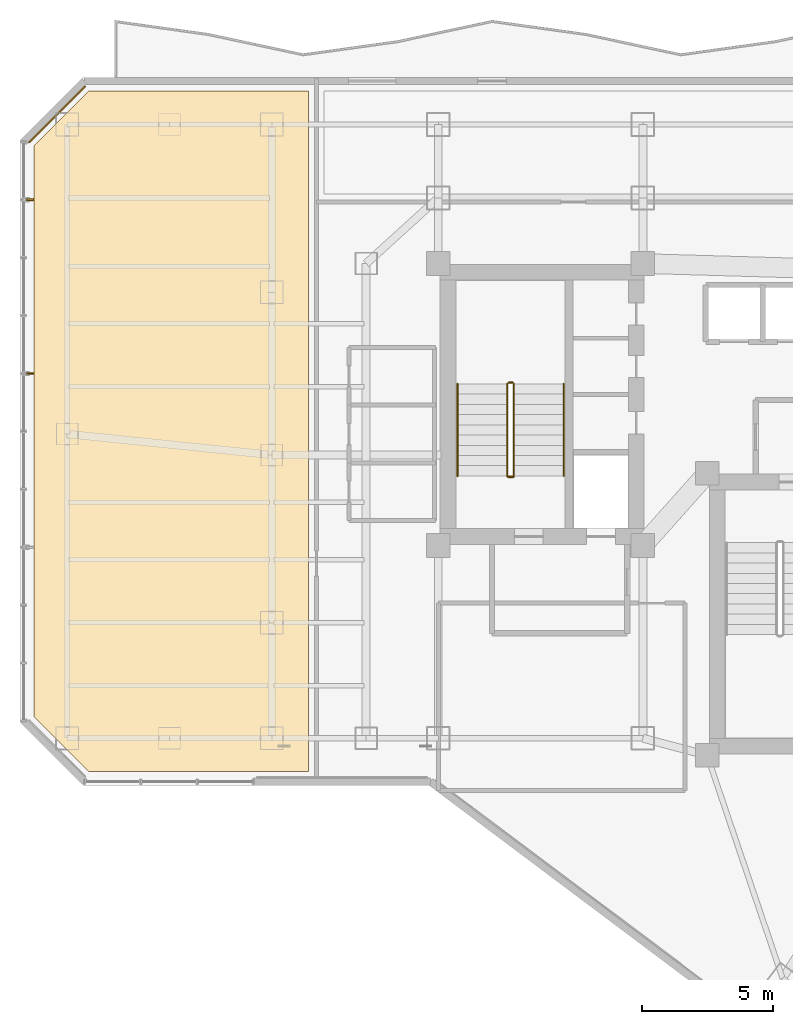
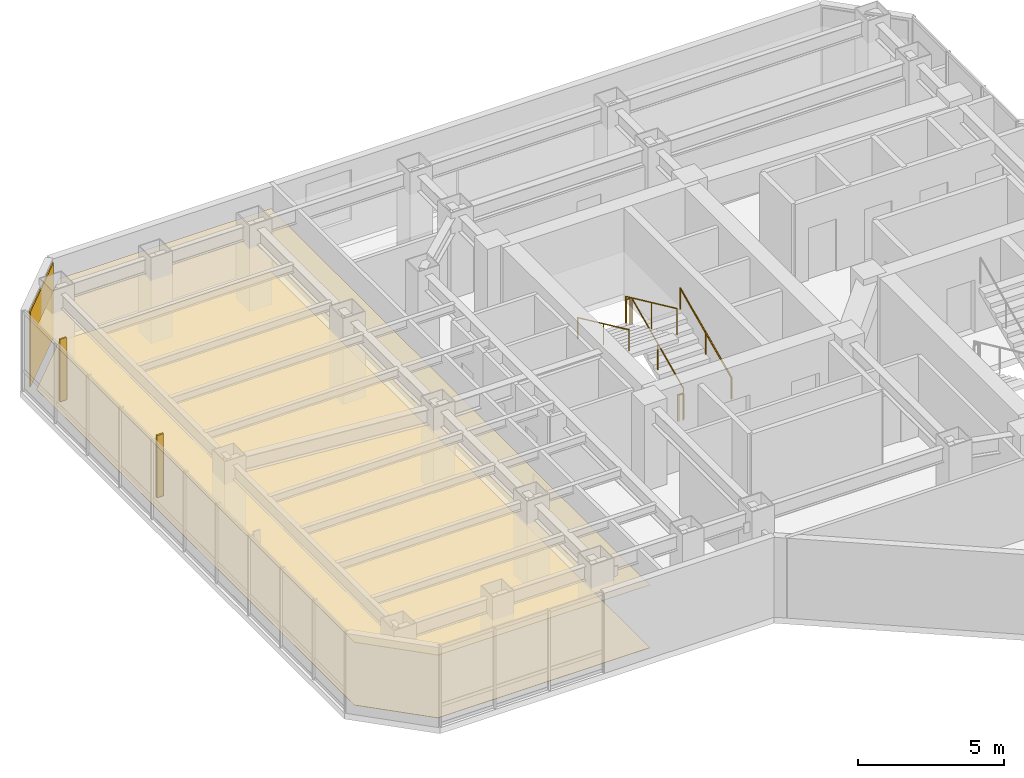
# One storey, part 28 of 29: 7 railings, 3 coverings, 2 shading devices.
"""IFC4 building model written with IfcOpenShell, lengths in metres."""

from ifc_helpers import new_model, si_unit, direction, frame, origin, origin_2d, place, context, subcontext, project, spatial, polyline, rectangle, circle, outline, extrude, material, layer, layer_set, type_object, element, save


model = new_model("IFC4")

# Units and contexts
model_context = context("Model", 3, precision=1e-05, world=origin(), true_north=direction((0.0, 1.0)))
body_context = subcontext(model_context, "Body", "Model", "MODEL_VIEW")
ifc_project = project(units=[si_unit("LENGTHUNIT", "METRE"), si_unit("AREAUNIT", "SQUARE_METRE"), si_unit("VOLUMEUNIT", "CUBIC_METRE"), si_unit("PLANEANGLEUNIT", "RADIAN"), si_unit("MASSUNIT", "GRAM", prefix="KILO")], contexts=[model_context])

# Site, building, storey
site_placement = place(None, origin())
site = spatial("IfcSite", under=ifc_project, at=site_placement, CompositionType="ELEMENT")
building_placement = place(site_placement, origin())
building = spatial("IfcBuilding", under=site, at=building_placement, Name="Hatsunagi Terrace Concourse", CompositionType="ELEMENT")
storey_placement = place(building_placement, frame((0.0, 0.0, 126.449951171875)))
storey = spatial("IfcBuildingStorey", under=building, at=storey_placement, Name="L33", CompositionType="ELEMENT", Elevation=126.449951171875)

# Coverings
ifc_material_1 = material(Name="Acoustic mineral board", Category="gypsum")
ifc_layer_1 = layer(ifc_material_1, 0.02001953125)
ifc_layer_set_1 = layer_set([ifc_layer_1], Name="AcousticMineralCeiling_20")
covering_type_1 = type_object("IfcCoveringType", Name="AcousticMineralCeiling_20", PredefinedType="CEILING", material=ifc_layer_set_1)
covering_1_placement = place(storey_placement, frame((0.0, 0.0, 2.6201171875)))
element("IfcCovering", 1, at=covering_1_placement, inside=storey, type_object=covering_type_1, Name="Suspended Ceiling L33-1", PredefinedType="CEILING", context=body_context, shape_type="SweptSolid", body=[
    extrude(outline(polyline([(10.1298828125, 26.02001953125), (12.219970703125, 23.929931640625), (20.60009765625, 23.929931640625), (20.60009765625, 49.8701171875), (12.219970703125, 49.8701171875), (10.1298828125, 47.780029296875), (10.1298828125, 26.02001953125)])), origin(), (0.0, 0.0, 1.0), 0.02001953125),
])
ifc_material_2 = material(Name="Hardwood timber", Category="wood")
ifc_layer_2 = layer(ifc_material_2, 0.014892578125)
ifc_layer_set_2 = layer_set([ifc_layer_2], Name="HardwoodTimberFlooring_15")
covering_type_2 = type_object("IfcCoveringType", Name="HardwoodTimberFlooring_15", PredefinedType="FLOORING", material=ifc_layer_set_2)
covering_2_placement = place(storey_placement, origin())
element("IfcCovering", 2, at=covering_2_placement, inside=storey, type_object=covering_type_2, Name="Finished Flooring L33-1", PredefinedType="FLOORING", context=body_context, shape_type="SweptSolid", body=[
    extrude(outline(polyline([(10.1298828125, 26.02001953125), (12.219970703125, 23.929931640625), (20.60009765625, 23.929931640625), (20.60009765625, 49.8701171875), (12.219970703125, 49.8701171875), (10.1298828125, 47.780029296875), (10.1298828125, 26.02001953125)])), origin(), (0.0, 0.0, 1.0), 0.01513671875),
])

# Railings
ifc_material_3 = material(Name="Stainless steel", Category="steel")
ifc_layer_3 = layer(ifc_material_3, 0.044921875)
ifc_layer_set_3 = layer_set([ifc_layer_3], Name="StairPitchHandrail_Tower2000")
railing_type_1 = type_object("IfcRailingType", Name="StairPitchHandrail_Tower2000", PredefinedType="HANDRAIL", material=ifc_layer_set_3)
railing_1_placement = place(storey_placement, frame((30.330078125, 35.199951171875, 0.179931640625)))
element("IfcRailing", 3, at=railing_1_placement, inside=storey, type_object=railing_type_1, Name="L33 ST-A stair handrail 1", PredefinedType="HANDRAIL", context=body_context, shape_type="SweptSolid", body=[
    extrude(circle(Radius=0.02392578125, at=origin_2d()), frame((0.0, 0.0, 0.8759765625), z_axis=(0.0, 0.907948293929, 0.419082206198), x_axis=(-1.0, 0.0, 0.0)), (0.0, 0.0, 1.0), 3.865966796875),
    extrude(circle(Radius=0.02099609375, at=origin_2d()), origin(), (0.0, 0.0, 1.0), 0.851806640625),
    extrude(circle(Radius=0.02099609375, at=origin_2d()), frame((0.0, 1.7548828125, 0.81005859375)), (0.0, 0.0, 1.0), 0.851806640625),
    extrude(circle(Radius=0.02099609375, at=origin_2d()), frame((0.0, 3.510009765625, 1.6201171875)), (0.0, 0.0, 1.0), 0.851806640625),
])
railing_2_placement = place(storey_placement, frame((26.280029296875, 38.7099609375, 1.97998046875)))
element("IfcRailing", 4, at=railing_2_placement, inside=storey, type_object=railing_type_1, Name="L33 ST-A stair handrail 2", PredefinedType="HANDRAIL", context=body_context, shape_type="SweptSolid", body=[
    extrude(circle(Radius=0.02392578125, at=origin_2d()), frame((0.0, 0.0, 0.8759765625), z_axis=(0.0, -0.907948293929, 0.419082206198), x_axis=(1.0, 0.0, 0.0)), (0.0, 0.0, 1.0), 3.865966796875),
    extrude(circle(Radius=0.02099609375, at=origin_2d()), origin(), (0.0, 0.0, 1.0), 0.851806640625),
    extrude(circle(Radius=0.02099609375, at=origin_2d()), frame((0.0, -1.7548828125, 0.81005859375)), (0.0, 0.0, 1.0), 0.851806640625),
    extrude(circle(Radius=0.02099609375, at=origin_2d()), frame((0.0, -3.510009765625, 1.6201171875)), (0.0, 0.0, 1.0), 0.851806640625),
])
ifc_material_4 = material(Name="Stainless steel", Category="steel")
ifc_layer_4 = layer(ifc_material_4, 0.06005859375)
ifc_layer_set_4 = layer_set([ifc_layer_4], Name="StairWellGuard_Tower2000")
railing_type_2 = type_object("IfcRailingType", Name="StairWellGuard_Tower2000", PredefinedType="BALUSTRADE", material=ifc_layer_set_4)
railing_3_placement = place(storey_placement, frame((28.429931640625, 35.199951171875, 0.179931640625)))
element("IfcRailing", 5, at=railing_3_placement, inside=storey, type_object=railing_type_2, Name="L33 ST-A stair guard 1", PredefinedType="BALUSTRADE", context=body_context, shape_type="SweptSolid", body=[
    extrude(circle(Radius=0.02392578125, at=origin_2d()), frame((0.0, 0.0, 1.09619140625), z_axis=(0.0, 0.907948293929, 0.419082206198), x_axis=(-1.0, 0.0, 0.0)), (0.0, 0.0, 1.0), 3.865966796875),
    extrude(circle(Radius=0.02099609375, at=origin_2d()), origin(), (0.0, 0.0, 1.0), 1.072021484375),
    extrude(circle(Radius=0.02099609375, at=origin_2d()), frame((0.0, 1.7548828125, 0.81005859375)), (0.0, 0.0, 1.0), 1.072021484375),
    extrude(circle(Radius=0.02099609375, at=origin_2d()), frame((0.0, 3.510009765625, 1.6201171875)), (0.0, 0.0, 1.0), 1.072021484375),
])
railing_4_placement = place(storey_placement, frame((28.3798828125, 38.760009765625, 1.800048828125)))
element("IfcRailing", 6, at=railing_4_placement, inside=storey, type_object=railing_type_2, Name="L33 ST-A stair guard 2", PredefinedType="BALUSTRADE", context=body_context, shape_type="SweptSolid", body=[
    extrude(circle(Radius=0.02392578125, at=origin_2d()), frame((0.0, 0.0, 1.09619140625), z_axis=(-1.0, 0.0, 0.0), x_axis=(0.0, -1.0, 0.0)), (0.0, 0.0, 1.0), 0.14990234375),
    extrude(circle(Radius=0.02099609375, at=origin_2d()), origin(), (0.0, 0.0, 1.0), 1.072021484375),
    extrude(circle(Radius=0.02099609375, at=origin_2d()), frame((-0.14990234375, 0.0, 0.0)), (0.0, 0.0, 1.0), 1.072021484375),
])
railing_5_placement = place(storey_placement, frame((28.179931640625, 38.7099609375, 1.97998046875)))
element("IfcRailing", 7, at=railing_5_placement, inside=storey, type_object=railing_type_2, Name="L33 ST-A stair guard 3", PredefinedType="BALUSTRADE", context=body_context, shape_type="SweptSolid", body=[
    extrude(circle(Radius=0.02392578125, at=origin_2d()), frame((0.0, 0.0, 1.09619140625), z_axis=(0.0, -0.907948293929, 0.419082206198), x_axis=(1.0, 0.0, 0.0)), (0.0, 0.0, 1.0), 3.865966796875),
    extrude(circle(Radius=0.02099609375, at=origin_2d()), origin(), (0.0, 0.0, 1.0), 1.072021484375),
    extrude(circle(Radius=0.02099609375, at=origin_2d()), frame((0.0, -1.7548828125, 0.81005859375)), (0.0, 0.0, 1.0), 1.072021484375),
    extrude(circle(Radius=0.02099609375, at=origin_2d()), frame((0.0, -3.510009765625, 1.6201171875)), (0.0, 0.0, 1.0), 1.072021484375),
])
railing_6_placement = place(storey_placement, frame((28.3798828125, 35.14990234375, 0.0)))
element("IfcRailing", 8, at=railing_6_placement, inside=storey, type_object=railing_type_2, Name="L33 ST-A stair guard 4", PredefinedType="BALUSTRADE", context=body_context, shape_type="SweptSolid", body=[
    extrude(circle(Radius=0.02392578125, at=origin_2d()), frame((0.0, 0.0, 1.09619140625), z_axis=(-1.0, 0.0, 0.0), x_axis=(0.0, -1.0, 0.0)), (0.0, 0.0, 1.0), 0.14990234375),
    extrude(circle(Radius=0.02099609375, at=origin_2d()), origin(), (0.0, 0.0, 1.0), 1.072021484375),
    extrude(circle(Radius=0.02099609375, at=origin_2d()), frame((-0.14990234375, 0.0, 0.0)), (0.0, 0.0, 1.0), 1.072021484375),
])
ifc_material_5 = material(Name="Stainless Steel SUS316 Post-and-Rail Guard", Category="steel")
ifc_layer_5 = layer(ifc_material_5, 0.080078125)
ifc_layer_set_5 = layer_set([ifc_layer_5], Name="TerracePlantedGuardRail_1200")
railing_type_3 = type_object("IfcRailingType", Name="TerracePlantedGuardRail_1200", PredefinedType="GUARDRAIL", material=ifc_layer_set_5)
railing_7_placement = place(storey_placement, frame((28.179931640625, 35.179931640625, 0.0)))
element("IfcRailing", 9, at=railing_7_placement, inside=storey, type_object=railing_type_3, Name="Stair ST-A Well Closure Guard L33", PredefinedType="GUARDRAIL", context=body_context, shape_type="SweptSolid", body=[
    extrude(circle(Radius=0.02392578125, at=origin_2d()), frame((0.0, 0.0, 1.09619140625), z_axis=(1.0, 0.0, 0.0), x_axis=(0.0, 1.0, 0.0)), (0.0, 0.0, 1.0), 0.25),
    extrude(circle(Radius=0.02099609375, at=origin_2d()), origin(), (0.0, 0.0, 1.0), 1.072021484375),
    extrude(circle(Radius=0.02099609375, at=origin_2d()), frame((0.25, 0.0, 0.0)), (0.0, 0.0, 1.0), 1.072021484375),
])

# Shading devices
ifc_material_6 = material(Name="Extruded Unglazed Terracotta Baguette", Category="masonry")
shading_device_type = type_object("IfcShadingDeviceType", Name="TerracottaFinScreen_260x70", PredefinedType="USERDEFINED", material=ifc_material_6)
for number, where, z_axis, x_axis, name in (
    (10, (9.989990234375, 39.10791015625, 0.85009765625), (0.0, 0.0, 1.0), (0.0, 1.0, 0.0), "Terracotta Baguette Fin Screen SCR-01"),
    (11, (9.989990234375, 45.73388671875, 0.85009765625), (0.0, 0.0, 1.0), (0.0, 1.0, 0.0), "Terracotta Baguette Fin Screen SCR-01"),
):
    element("IfcShadingDevice", number, at=place(storey_placement, frame(where, z_axis=z_axis, x_axis=x_axis)), inside=storey, type_object=shading_device_type, Name=name, ObjectType="SUNSHADE", PredefinedType="USERDEFINED", context=body_context, shape_type="SweptSolid", body=[
        extrude(rectangle(XDim=0.070068359375, YDim=0.260009765625, at=origin_2d()), origin(), (0.0, 0.0, 1.0), 2.60009765625),
    ])

# Covering
ifc_material_7 = material(Name="Unglazed Warm Terracotta Rainscreen Tile", Category="masonry")
ifc_layer_6 = layer(ifc_material_7, 0.044921875)
ifc_layer_set_6 = layer_set([ifc_layer_6], Name="TerracottaRainscreenCladding_45")
covering_type_3 = type_object("IfcCoveringType", Name="TerracottaRainscreenCladding_45", PredefinedType="CLADDING", material=ifc_layer_set_6)
covering_3_placement = place(storey_placement, frame((11.013916015625, 48.986083984375, 0.10009765625), z_axis=(0.0, 0.0, 1.0), x_axis=(0.707106781187, 0.707106781187, 0.0)))
element("IfcCovering", 12, at=covering_3_placement, inside=storey, type_object=covering_type_3, Name="Terracotta Rainscreen Cladding L33-10", PredefinedType="CLADDING", context=body_context, shape_type="SweptSolid", body=[
    extrude(rectangle(XDim=3.0380859375, YDim=0.044921875, at=origin_2d()), origin(), (0.0, 0.0, 1.0), 3.139892578125),
])

save(model, "model.ifc")
